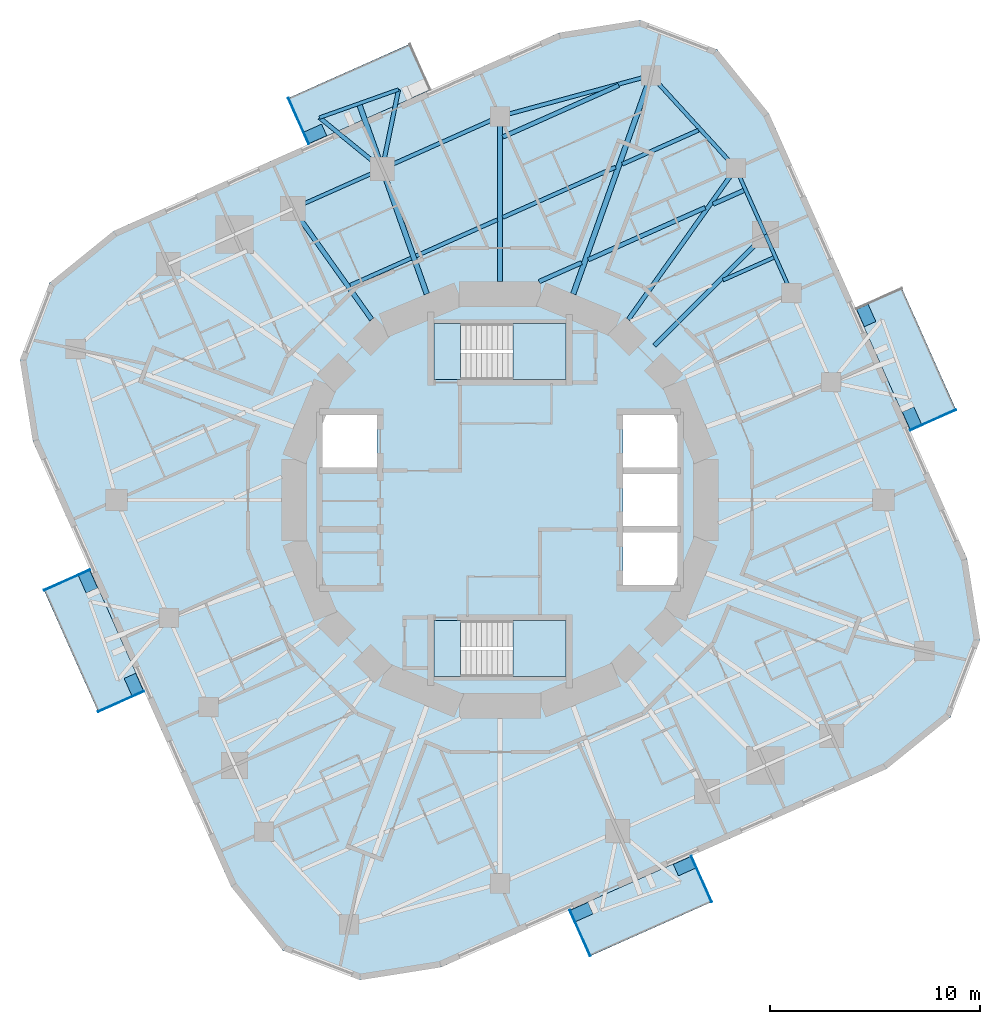
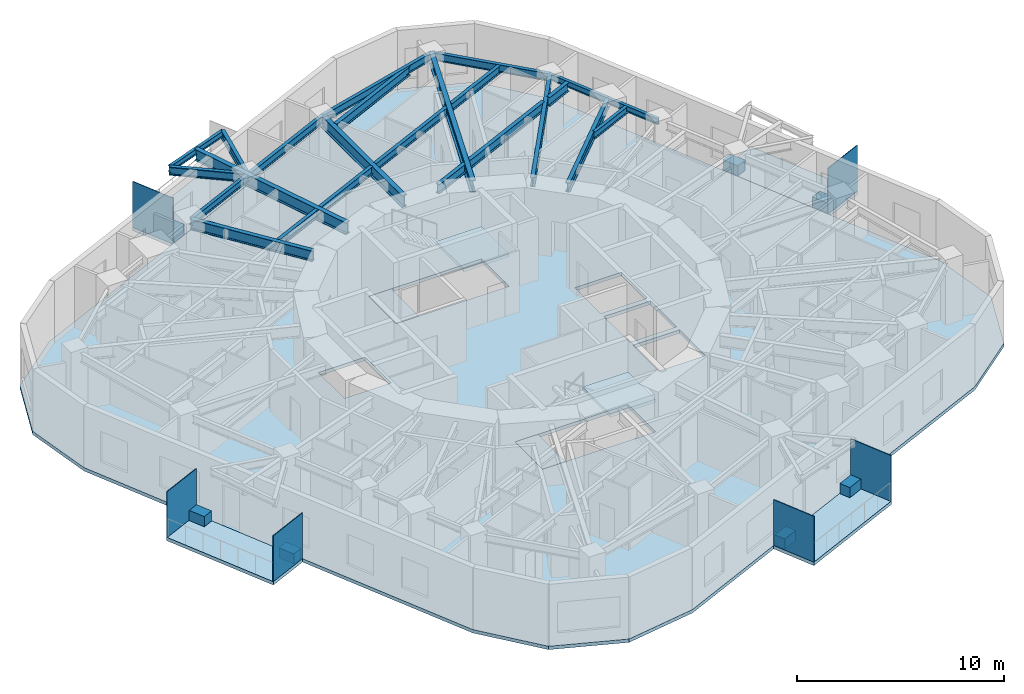
# One storey, part 3 of 12: 24 beams, 13 plates, 9 slabs, 2 elements without a shape of their own.
"""IFC4 building model written with IfcOpenShell, lengths in metres."""

from ifc_helpers import new_model, si_unit, direction, frame, origin, origin_2d, place, context, subcontext, project, spatial, polyline, rectangle, i_section, outline, extrude, material, layer, layer_set, material_profile, profile_set, type_object, element, aggregate, save


model = new_model("IFC4")

# Units and contexts
model_context = context("Model", 3, precision=1e-05, world=origin(), true_north=direction((0.0, 1.0)))
body_context = subcontext(model_context, "Body", "Model", "MODEL_VIEW")
ifc_project = project(units=[si_unit("LENGTHUNIT", "METRE"), si_unit("AREAUNIT", "SQUARE_METRE"), si_unit("VOLUMEUNIT", "CUBIC_METRE"), si_unit("PLANEANGLEUNIT", "RADIAN"), si_unit("MASSUNIT", "GRAM", prefix="KILO")], contexts=[model_context])

# Site, building, storey
site_placement = place(None, origin())
site = spatial("IfcSite", under=ifc_project, at=site_placement, CompositionType="ELEMENT")
building_placement = place(site_placement, origin())
building = spatial("IfcBuilding", under=site, at=building_placement, Name="Nakasero Lantern House", CompositionType="ELEMENT")
storey_placement = place(building_placement, frame((0.0, 0.0, 194.0)))
storey = spatial("IfcBuildingStorey", under=building, at=storey_placement, Name="L47", CompositionType="ELEMENT", Elevation=194.0)

# Beams
ifc_material_1 = material(Name="Steel S355", Category="steel")
ifc_material_profile_1 = material_profile(ifc_material_1, i_section(OverallWidth=0.199462890625, OverallDepth=0.491943359375, WebThickness=0.01806640625, FlangeThickness=0.031982421875, FilletRadius=0.01025390625, at=origin_2d()), Name="UB 457x191x161")
ifc_profile_set_1 = profile_set([ifc_material_profile_1], Name="Steel S355")
beam_type_1 = type_object("IfcBeamType", Name="Balcony splay beam UB 457x191x161", PredefinedType="BEAM", material=ifc_profile_set_1)
beam_1_placement = place(storey_placement, frame((-5.611328125, 15.781982421875, 3.404052734375), z_axis=(-0.774833215206, 0.632165712937, 0.0), x_axis=(-0.632165712937, -0.774833215206, 0.0)))
element("IfcBeam", 1, at=beam_1_placement, inside=storey, type_object=beam_type_1, Name="Balcony splay beam L48 B5-C10A", PredefinedType="BEAM", context=body_context, shape_type="SweptSolid", body=[
    extrude(i_section(OverallWidth=0.199462890625, OverallDepth=0.491943359375, WebThickness=0.01806640625, FlangeThickness=0.031982421875, FilletRadius=0.01025390625, at=origin_2d()), origin(), (0.0, 0.0, 1.0), 3.85888671875),
])
beam_2_placement = place(storey_placement, frame((-5.611328125, 15.781982421875, 3.404052734375), z_axis=(0.201831438605, 0.979420272605, 0.0), x_axis=(-0.979420272605, 0.201831438605, 0.0)))
element("IfcBeam", 2, at=beam_2_placement, inside=storey, type_object=beam_type_1, Name="Balcony splay beam L48 B5-C10B", PredefinedType="BEAM", context=body_context, shape_type="SweptSolid", body=[
    extrude(i_section(OverallWidth=0.199462890625, OverallDepth=0.491943359375, WebThickness=0.01806640625, FlangeThickness=0.031982421875, FilletRadius=0.01025390625, at=origin_2d()), origin(), (0.0, 0.0, 1.0), 3.858642578125),
])
ifc_material_2 = material(Name="Steel S355", Category="steel")
ifc_material_profile_2 = material_profile(ifc_material_2, i_section(OverallWidth=0.17138671875, OverallDepth=0.35498046875, WebThickness=0.00732421875, FlangeThickness=0.011474609375, FilletRadius=0.01025390625, at=origin_2d()), Name="UB 356x171x51")
ifc_profile_set_2 = profile_set([ifc_material_profile_2], Name="Steel S355")
beam_type_2 = type_object("IfcBeamType", Name="Balcony tie beam UB 356x171x51", PredefinedType="BEAM", material=ifc_profile_set_2)
beam_3_placement = place(storey_placement, frame((-8.601318359375, 18.221435546875, 3.472412109375), z_axis=(0.94222839004, 0.334971134582, 0.0), x_axis=(-0.334971134582, 0.94222839004, 0.0)))
element("IfcBeam", 3, at=beam_3_placement, inside=storey, type_object=beam_type_2, Name="Balcony tie beam L48 B5-C10", PredefinedType="BEAM", context=body_context, shape_type="SweptSolid", body=[
    extrude(i_section(OverallWidth=0.17138671875, OverallDepth=0.35498046875, WebThickness=0.00732421875, FlangeThickness=0.011474609375, FilletRadius=0.01025390625, at=origin_2d()), origin(), (0.0, 0.0, 1.0), 4.0),
])
ifc_material_3 = material(Name="Steel S355", Category="steel")
ifc_material_profile_3 = material_profile(ifc_material_3, i_section(OverallWidth=0.177978515625, OverallDepth=0.406494140625, WebThickness=0.0078125, FlangeThickness=0.0126953125, FilletRadius=0.01025390625, at=origin_2d()), Name="UB 406x178x60")
ifc_profile_set_3 = profile_set([ifc_material_profile_3], Name="Steel S355")
beam_type_3 = type_object("IfcBeamType", Name="Infill beam UB 406x178x60", PredefinedType="JOIST", material=ifc_profile_set_3)
beam_4_placement = place(storey_placement, frame((10.626708984375, 10.47802734375, 3.44677734375), z_axis=(0.913529602849, 0.406772251658, 0.0), x_axis=(-0.406772251658, 0.913529602849, 0.0)))
element("IfcBeam", 4, at=beam_4_placement, inside=storey, type_object=beam_type_3, Name="Infill beam L48 09.4", PredefinedType="JOIST", context=body_context, shape_type="SweptSolid", body=[
    extrude(i_section(OverallWidth=0.177978515625, OverallDepth=0.406494140625, WebThickness=0.0078125, FlangeThickness=0.0126953125, FilletRadius=0.01025390625, at=origin_2d()), origin(), (0.0, 0.0, 1.0), 2.64453125),
])
ifc_material_4 = material(Name="Steel S355", Category="steel")
ifc_material_profile_4 = material_profile(ifc_material_4, i_section(OverallWidth=0.18994140625, OverallDepth=0.453369140625, WebThickness=0.008544921875, FlangeThickness=0.0126953125, FilletRadius=0.01025390625, at=origin_2d()), Name="UB 457x191x67")
ifc_profile_set_4 = profile_set([ifc_material_profile_4], Name="Steel S355")
beam_type_4 = type_object("IfcBeamType", Name="Infill beam UB 457x191x67", PredefinedType="JOIST", material=ifc_profile_set_4)
beam_5_placement = place(storey_placement, frame((-7.1357421875, 10.232177734375, 3.42333984375), z_axis=(0.913535738899, 0.406758471029, 0.0), x_axis=(-0.406758471029, 0.913535738899, 0.0)))
element("IfcBeam", 5, at=beam_5_placement, inside=storey, type_object=beam_type_4, Name="Infill beam L48 11.5", PredefinedType="JOIST", context=body_context, shape_type="SweptSolid", body=[
    extrude(i_section(OverallWidth=0.18994140625, OverallDepth=0.453369140625, WebThickness=0.008544921875, FlangeThickness=0.0126953125, FilletRadius=0.01025390625, at=origin_2d()), origin(), (0.0, 0.0, 1.0), 3.17822265625),
])
beam_6_placement = place(storey_placement, frame((-4.0, 11.62841796875, 3.42333984375), z_axis=(0.913552455182, 0.40672092598, 0.0), x_axis=(-0.40672092598, 0.913552455182, 0.0)))
element("IfcBeam", 6, at=beam_6_placement, inside=storey, type_object=beam_type_4, Name="Infill beam L48 11.6", PredefinedType="JOIST", context=body_context, shape_type="SweptSolid", body=[
    extrude(i_section(OverallWidth=0.18994140625, OverallDepth=0.453369140625, WebThickness=0.008544921875, FlangeThickness=0.0126953125, FilletRadius=0.01025390625, at=origin_2d()), origin(), (0.0, 0.0, 1.0), 4.238525390625),
])
beam_7_placement = place(storey_placement, frame((0.1279296875, 13.46630859375, 3.42333984375), z_axis=(0.913542777248, 0.406742663287, 0.0), x_axis=(-0.406742663287, 0.913542777248, 0.0)))
element("IfcBeam", 7, at=beam_7_placement, inside=storey, type_object=beam_type_4, Name="Infill beam L48 11.7", PredefinedType="JOIST", context=body_context, shape_type="SweptSolid", body=[
    extrude(i_section(OverallWidth=0.18994140625, OverallDepth=0.453369140625, WebThickness=0.008544921875, FlangeThickness=0.0126953125, FilletRadius=0.01025390625, at=origin_2d()), origin(), (0.0, 0.0, 1.0), 5.88525390625),
])
beam_8_placement = place(storey_placement, frame((5.824462890625, 16.00244140625, 3.42333984375), z_axis=(0.91354552237, 0.406736497695, 0.0), x_axis=(-0.406736497695, 0.91354552237, 0.0)))
element("IfcBeam", 8, at=beam_8_placement, inside=storey, type_object=beam_type_4, Name="Infill beam L48 11.8", PredefinedType="JOIST", context=body_context, shape_type="SweptSolid", body=[
    extrude(i_section(OverallWidth=0.18994140625, OverallDepth=0.453369140625, WebThickness=0.008544921875, FlangeThickness=0.0126953125, FilletRadius=0.01025390625, at=origin_2d()), origin(), (0.0, 0.0, 1.0), 3.9765625),
])
ifc_material_5 = material(Name="Steel S355", Category="steel")
ifc_material_profile_5 = material_profile(ifc_material_5, i_section(OverallWidth=0.2099609375, OverallDepth=0.53662109375, WebThickness=0.0107421875, FlangeThickness=0.017333984375, FilletRadius=0.0126953125, at=origin_2d()), Name="UB 533x210x101")
ifc_profile_set_5 = profile_set([ifc_material_profile_5], Name="Steel S355")
beam_type_5 = type_object("IfcBeamType", Name="Infill beam UB 533x210x101", PredefinedType="JOIST", material=ifc_profile_set_5)
beam_9_placement = place(storey_placement, frame((0.1279296875, 17.29736328125, 3.381591796875), z_axis=(0.913537020085, 0.406755593611, 0.0), x_axis=(-0.406755593611, 0.913537020085, 0.0)))
element("IfcBeam", 9, at=beam_9_placement, inside=storey, type_object=beam_type_5, Name="Infill beam L48 12.3", PredefinedType="JOIST", context=body_context, shape_type="SweptSolid", body=[
    extrude(i_section(OverallWidth=0.2099609375, OverallDepth=0.53662109375, WebThickness=0.0107421875, FlangeThickness=0.017333984375, FilletRadius=0.0126953125, at=origin_2d()), origin(), (0.0, 0.0, 1.0), 6.0556640625),
])
ifc_material_6 = material(Name="Steel S355", Category="steel")
ifc_material_profile_6 = material_profile(ifc_material_6, i_section(OverallWidth=0.208740234375, OverallDepth=0.5283203125, WebThickness=0.009521484375, FlangeThickness=0.01318359375, FilletRadius=0.0126953125, at=origin_2d()), Name="UB 533x210x82")
ifc_profile_set_6 = profile_set([ifc_material_profile_6], Name="Steel S355")
beam_type_6 = type_object("IfcBeamType", Name="Infill beam UB 533x210x82", PredefinedType="JOIST", material=ifc_profile_set_6)
beam_10_placement = place(storey_placement, frame((1.86376953125, 10.407958984375, 3.3857421875), z_axis=(0.913538457968, 0.406752364238, 0.0), x_axis=(-0.406752364238, 0.913538457968, 0.0)))
element("IfcBeam", 10, at=beam_10_placement, inside=storey, type_object=beam_type_6, Name="Infill beam L48 10.3", PredefinedType="JOIST", context=body_context, shape_type="SweptSolid", body=[
    extrude(i_section(OverallWidth=0.208740234375, OverallDepth=0.5283203125, WebThickness=0.009521484375, FlangeThickness=0.01318359375, FilletRadius=0.0126953125, at=origin_2d()), origin(), (0.0, 0.0, 1.0), 2.213623046875),
])
beam_11_placement = place(storey_placement, frame((4.2060546875, 11.45068359375, 3.3857421875), z_axis=(0.913537341067, 0.406754872713, 0.0), x_axis=(-0.406754872713, 0.913537341067, 0.0)))
element("IfcBeam", 11, at=beam_11_placement, inside=storey, type_object=beam_type_6, Name="Infill beam L48 10.4", PredefinedType="JOIST", context=body_context, shape_type="SweptSolid", body=[
    extrude(i_section(OverallWidth=0.208740234375, OverallDepth=0.5283203125, WebThickness=0.009521484375, FlangeThickness=0.01318359375, FilletRadius=0.0126953125, at=origin_2d()), origin(), (0.0, 0.0, 1.0), 6.099365234375),
])
beam_12_placement = place(storey_placement, frame((10.155029296875, 14.099365234375, 3.3857421875), z_axis=(0.913522313414, 0.406788621884, 0.0), x_axis=(-0.406788621884, 0.913522313414, 0.0)))
element("IfcBeam", 12, at=beam_12_placement, inside=storey, type_object=beam_type_6, Name="Infill beam L48 10.5", PredefinedType="JOIST", context=body_context, shape_type="SweptSolid", body=[
    extrude(i_section(OverallWidth=0.208740234375, OverallDepth=0.5283203125, WebThickness=0.009521484375, FlangeThickness=0.01318359375, FilletRadius=0.0126953125, at=origin_2d()), origin(), (0.0, 0.0, 1.0), 1.6025390625),
])
ifc_material_7 = material(Name="Steel S355", Category="steel")
ifc_material_profile_7 = material_profile(ifc_material_7, i_section(OverallWidth=0.2099609375, OverallDepth=0.53662109375, WebThickness=0.0107421875, FlangeThickness=0.017333984375, FilletRadius=0.0126953125, at=origin_2d()), Name="UB 533x210x101")
ifc_profile_set_7 = profile_set([ifc_material_profile_7], Name="Steel S355")
beam_type_7 = type_object("IfcBeamType", Name="Primary beam UB 533x210x101, span 6 to 9 m", PredefinedType="BEAM", material=ifc_profile_set_7)
beam_13_placement = place(storey_placement, frame((12.64892578125, 12.64892578125, 3.381591796875), z_axis=(-0.707106781187, -0.707106781187, 0.0), x_axis=(0.707106781187, -0.707106781187, 0.0)))
element("IfcBeam", 13, at=beam_13_placement, inside=storey, type_object=beam_type_7, Name="Primary beam L48 B5-C06", PredefinedType="BEAM", context=body_context, shape_type="SweptSolid", body=[
    extrude(i_section(OverallWidth=0.2099609375, OverallDepth=0.53662109375, WebThickness=0.0107421875, FlangeThickness=0.017333984375, FilletRadius=0.0126953125, at=origin_2d()), origin(), (0.0, 0.0, 1.0), 7.48046875),
])
beam_14_placement = place(storey_placement, frame((11.241943359375, 15.808837890625, 3.381591796875), z_axis=(-0.579536824926, -0.814946052543, 0.0), x_axis=(0.814946052543, -0.579536824926, 0.0)))
element("IfcBeam", 14, at=beam_14_placement, inside=storey, type_object=beam_type_7, Name="Primary beam L48 B5-C07", PredefinedType="BEAM", context=body_context, shape_type="SweptSolid", body=[
    extrude(i_section(OverallWidth=0.2099609375, OverallDepth=0.53662109375, WebThickness=0.0107421875, FlangeThickness=0.017333984375, FilletRadius=0.0126953125, at=origin_2d()), origin(), (0.0, 0.0, 1.0), 8.84326171875),
])
ifc_material_8 = material(Name="Steel S355", Category="steel")
ifc_material_profile_8 = material_profile(ifc_material_8, i_section(OverallWidth=0.22900390625, OverallDepth=0.6123046875, WebThickness=0.011962890625, FlangeThickness=0.01953125, FilletRadius=0.0126953125, at=origin_2d()), Name="UB 610x229x125")
ifc_profile_set_8 = profile_set([ifc_material_profile_8], Name="Steel S355")
beam_type_8 = type_object("IfcBeamType", Name="Primary beam UB 610x229x125, span 6 to 9 m", PredefinedType="BEAM", material=ifc_profile_set_8)
beam_15_placement = place(storey_placement, frame((-9.87353515625, 13.884521484375, 3.343994140625), z_axis=(0.57954101868, -0.8149430702, 0.0), x_axis=(0.8149430702, 0.57954101868, 0.0)))
element("IfcBeam", 15, at=beam_15_placement, inside=storey, type_object=beam_type_8, Name="Primary beam L48 B5-C11", PredefinedType="BEAM", context=body_context, shape_type="SweptSolid", body=[
    extrude(i_section(OverallWidth=0.22900390625, OverallDepth=0.6123046875, WebThickness=0.011962890625, FlangeThickness=0.01953125, FilletRadius=0.0126953125, at=origin_2d()), origin(), (0.0, 0.0, 1.0), 6.48193359375),
])
ifc_material_9 = material(Name="Steel S355", Category="steel")
ifc_material_profile_9 = material_profile(ifc_material_9, i_section(OverallWidth=0.253662109375, OverallDepth=0.68359375, WebThickness=0.012451171875, FlangeThickness=0.01904296875, FilletRadius=0.01513671875, at=origin_2d()), Name="UB 686x254x140")
ifc_profile_set_9 = profile_set([ifc_material_profile_9], Name="Steel S355")
beam_type_9 = type_object("IfcBeamType", Name="Primary beam UB 686x254x140, span 6 to 9 m", PredefinedType="BEAM", material=ifc_profile_set_9)
beam_16_placement = place(storey_placement, frame((-6.717041015625, 18.891357421875, 3.308349609375), z_axis=(0.335030177005, -0.942207397814, 0.0), x_axis=(0.942207397814, 0.335030177005, 0.0)))
element("IfcBeam", 16, at=beam_16_placement, inside=storey, type_object=beam_type_9, Name="Primary beam L48 B5-C10", PredefinedType="BEAM", context=body_context, shape_type="SweptSolid", body=[
    extrude(i_section(OverallWidth=0.253662109375, OverallDepth=0.68359375, WebThickness=0.012451171875, FlangeThickness=0.01904296875, FilletRadius=0.01513671875, at=origin_2d()), origin(), (0.0, 0.0, 1.0), 9.62841796875),
])
ifc_material_10 = material(Name="Steel S355", Category="steel")
ifc_material_profile_10 = material_profile(ifc_material_10, i_section(OverallWidth=0.253662109375, OverallDepth=0.68359375, WebThickness=0.012451171875, FlangeThickness=0.01904296875, FilletRadius=0.01513671875, at=origin_2d()), Name="UB 686x254x140")
ifc_profile_set_10 = profile_set([ifc_material_profile_10], Name="Steel S355")
beam_type_10 = type_object("IfcBeamType", Name="Primary beam UB 686x254x140, span 9 to 12 m", PredefinedType="BEAM", material=ifc_profile_set_10)
beam_17_placement = place(storey_placement, frame((7.19482421875, 20.2353515625, 3.308349609375), z_axis=(-0.335020995468, -0.942210662535, 0.0), x_axis=(0.942210662535, -0.335020995468, 0.0)))
element("IfcBeam", 17, at=beam_17_placement, inside=storey, type_object=beam_type_10, Name="Primary beam L48 B5-C08", PredefinedType="BEAM", context=body_context, shape_type="SweptSolid", body=[
    extrude(i_section(OverallWidth=0.253662109375, OverallDepth=0.68359375, WebThickness=0.012451171875, FlangeThickness=0.01904296875, FilletRadius=0.01513671875, at=origin_2d()), origin(), (0.0, 0.0, 1.0), 11.054931640625),
])
ifc_material_11 = material(Name="Steel S355", Category="steel")
ifc_material_profile_11 = material_profile(ifc_material_11, i_section(OverallWidth=0.255859375, OverallDepth=0.69287109375, WebThickness=0.014404296875, FlangeThickness=0.023681640625, FilletRadius=0.01513671875, at=origin_2d()), Name="UB 686x254x170")
ifc_profile_set_11 = profile_set([ifc_material_profile_11], Name="Steel S355")
beam_type_11 = type_object("IfcBeamType", Name="Primary beam UB 686x254x170, span 6 to 9 m", PredefinedType="BEAM", material=ifc_profile_set_11)
beam_18_placement = place(storey_placement, frame((0.0, 18.280517578125, 3.303466796875), z_axis=(0.0, -1.0, 0.0), x_axis=(1.0, 0.0, 0.0)))
element("IfcBeam", 18, at=beam_18_placement, inside=storey, type_object=beam_type_11, Name="Primary beam L48 B5-C09", PredefinedType="BEAM", context=body_context, shape_type="SweptSolid", body=[
    extrude(i_section(OverallWidth=0.255859375, OverallDepth=0.69287109375, WebThickness=0.014404296875, FlangeThickness=0.023681640625, FilletRadius=0.01513671875, at=origin_2d()), origin(), (0.0, 0.0, 1.0), 7.87255859375),
])
ifc_material_12 = material(Name="Steel S355", Category="steel")
ifc_material_profile_12 = material_profile(ifc_material_12, i_section(OverallWidth=0.17138671875, OverallDepth=0.35498046875, WebThickness=0.00732421875, FlangeThickness=0.011474609375, FilletRadius=0.01025390625, at=origin_2d()), Name="UB 356x171x51")
ifc_profile_set_12 = profile_set([ifc_material_profile_12], Name="Steel S355")
beam_type_12 = type_object("IfcBeamType", Name="Ring beam UB 356x171x51", PredefinedType="BEAM", material=ifc_profile_set_12)
beam_19_placement = place(storey_placement, frame((13.884521484375, 9.87353515625, 3.472412109375), z_axis=(-0.40671251915, 0.913556197925, 0.0), x_axis=(-0.913556197925, -0.40671251915, 0.0)))
element("IfcBeam", 19, at=beam_19_placement, inside=storey, type_object=beam_type_12, Name="Ring beam L48 B5-C05", PredefinedType="BEAM", context=body_context, shape_type="SweptSolid", body=[
    extrude(i_section(OverallWidth=0.17138671875, OverallDepth=0.35498046875, WebThickness=0.00732421875, FlangeThickness=0.011474609375, FilletRadius=0.01025390625, at=origin_2d()), origin(), (0.0, 0.0, 1.0), 3.0380859375),
])
beam_20_placement = place(storey_placement, frame((12.64892578125, 12.64892578125, 3.472412109375), z_axis=(-0.406760506795, 0.913534832457, 0.0), x_axis=(-0.913534832457, -0.406760506795, 0.0)))
element("IfcBeam", 20, at=beam_20_placement, inside=storey, type_object=beam_type_12, Name="Ring beam L48 B5-C06", PredefinedType="BEAM", context=body_context, shape_type="SweptSolid", body=[
    extrude(i_section(OverallWidth=0.17138671875, OverallDepth=0.35498046875, WebThickness=0.00732421875, FlangeThickness=0.011474609375, FilletRadius=0.01025390625, at=origin_2d()), origin(), (0.0, 0.0, 1.0), 3.458984375),
])
ifc_material_13 = material(Name="Steel S355", Category="steel")
ifc_material_profile_13 = material_profile(ifc_material_13, i_section(OverallWidth=0.177978515625, OverallDepth=0.406494140625, WebThickness=0.0078125, FlangeThickness=0.0126953125, FilletRadius=0.01025390625, at=origin_2d()), Name="UB 406x178x60")
ifc_profile_set_13 = profile_set([ifc_material_profile_13], Name="Steel S355")
beam_type_13 = type_object("IfcBeamType", Name="Ring beam UB 406x178x60", PredefinedType="BEAM", material=ifc_profile_set_13)
beam_21_placement = place(storey_placement, frame((-5.611328125, 15.781982421875, 3.44677734375), z_axis=(-0.913561058639, -0.406701600856, 0.0), x_axis=(0.406701600856, -0.913561058639, 0.0)))
element("IfcBeam", 21, at=beam_21_placement, inside=storey, type_object=beam_type_13, Name="Ring beam L48 B5-C10", PredefinedType="BEAM", context=body_context, shape_type="SweptSolid", body=[
    extrude(i_section(OverallWidth=0.177978515625, OverallDepth=0.406494140625, WebThickness=0.0078125, FlangeThickness=0.0126953125, FilletRadius=0.01025390625, at=origin_2d()), origin(), (0.0, 0.0, 1.0), 4.66552734375),
])
ifc_material_14 = material(Name="Steel S355", Category="steel")
ifc_material_profile_14 = material_profile(ifc_material_14, i_section(OverallWidth=0.18994140625, OverallDepth=0.453369140625, WebThickness=0.008544921875, FlangeThickness=0.0126953125, FilletRadius=0.01025390625, at=origin_2d()), Name="UB 457x191x67")
ifc_profile_set_14 = profile_set([ifc_material_profile_14], Name="Steel S355")
beam_type_14 = type_object("IfcBeamType", Name="Ring beam UB 457x191x67", PredefinedType="BEAM", material=ifc_profile_set_14)
beam_22_placement = place(storey_placement, frame((11.241943359375, 15.808837890625, 3.42333984375), z_axis=(-0.674771099966, 0.73802707447, 0.0), x_axis=(-0.73802707447, -0.674771099966, 0.0)))
element("IfcBeam", 22, at=beam_22_placement, inside=storey, type_object=beam_type_14, Name="Ring beam L48 B5-C07", PredefinedType="BEAM", context=body_context, shape_type="SweptSolid", body=[
    extrude(i_section(OverallWidth=0.18994140625, OverallDepth=0.453369140625, WebThickness=0.008544921875, FlangeThickness=0.0126953125, FilletRadius=0.01025390625, at=origin_2d()), origin(), (0.0, 0.0, 1.0), 5.997802734375),
])
beam_23_placement = place(storey_placement, frame((7.19482421875, 20.2353515625, 3.42333984375), z_axis=(-0.965015017941, -0.26219461312, 0.0), x_axis=(0.26219461312, -0.965015017941, 0.0)))
element("IfcBeam", 23, at=beam_23_placement, inside=storey, type_object=beam_type_14, Name="Ring beam L48 B5-C08", PredefinedType="BEAM", context=body_context, shape_type="SweptSolid", body=[
    extrude(i_section(OverallWidth=0.18994140625, OverallDepth=0.453369140625, WebThickness=0.008544921875, FlangeThickness=0.0126953125, FilletRadius=0.01025390625, at=origin_2d()), origin(), (0.0, 0.0, 1.0), 7.45556640625),
])
ifc_material_15 = material(Name="Steel S355", Category="steel")
ifc_material_profile_15 = material_profile(ifc_material_15, i_section(OverallWidth=0.19140625, OverallDepth=0.4599609375, WebThickness=0.010009765625, FlangeThickness=0.01611328125, FilletRadius=0.01025390625, at=origin_2d()), Name="UB 457x191x82")
ifc_profile_set_15 = profile_set([ifc_material_profile_15], Name="Steel S355")
beam_type_15 = type_object("IfcBeamType", Name="Ring beam UB 457x191x82", PredefinedType="BEAM", material=ifc_profile_set_15)
beam_24_placement = place(storey_placement, frame((0.0, 18.280517578125, 3.419921875), z_axis=(-0.913532698569, -0.406765299215, 0.0), x_axis=(0.406765299215, -0.913532698569, 0.0)))
element("IfcBeam", 24, at=beam_24_placement, inside=storey, type_object=beam_type_15, Name="Ring beam L48 B5-C09", PredefinedType="BEAM", context=body_context, shape_type="SweptSolid", body=[
    extrude(i_section(OverallWidth=0.19140625, OverallDepth=0.4599609375, WebThickness=0.010009765625, FlangeThickness=0.01611328125, FilletRadius=0.01025390625, at=origin_2d()), origin(), (0.0, 0.0, 1.0), 6.142333984375),
])

# Plates
ifc_material_16 = material(Name="Aluminium 6063-T6", Category="aluminium")
ifc_layer_1 = layer(ifc_material_16, 0.60009765625)
ifc_layer_set_1 = layer_set([ifc_layer_1], Name="Balcony planter 600x900")
plate_type_1 = type_object("IfcPlateType", Name="Balcony planter 600x900", PredefinedType="USERDEFINED", material=ifc_layer_set_1)
for number, where, z_axis, x_axis, name in (
    (25, (19.629638671875, 3.90283203125, 0.0), (0.0, 0.0, 1.0), (0.913545457643, 0.406736643076, 0.0), "Balcony PLANTER L47 BAL0A"),
    (26, (17.452880859375, 8.791748046875, 0.0), (0.0, 0.0, 1.0), (0.913545457643, 0.406736643076, 0.0), "Balcony PLANTER L47 BAL0B"),
    (27, (-8.791748046875, 17.452880859375, 0.0), (0.0, 0.0, 1.0), (-0.406736643076, 0.913545457643, 0.0), "Balcony PLANTER L47 BAL1B"),
    (28, (-19.629638671875, -3.90283203125, 0.0), (0.0, 0.0, 1.0), (-0.913545457643, -0.406736643076, 0.0), "Balcony PLANTER L47 BAL2A"),
    (29, (-17.452880859375, -8.791748046875, 0.0), (0.0, 0.0, 1.0), (-0.913545457643, -0.406736643076, 0.0), "Balcony PLANTER L47 BAL2B"),
    (30, (3.90283203125, -19.629638671875, 0.0), (0.0, 0.0, 1.0), (0.406736643076, -0.913545457643, 0.0), "Balcony PLANTER L47 BAL3A"),
    (31, (8.791748046875, -17.452880859375, 0.0), (0.0, 0.0, 1.0), (0.406736643076, -0.913545457643, 0.0), "Balcony PLANTER L47 BAL3B"),
):
    element("IfcPlate", number, at=place(storey_placement, frame(where, z_axis=z_axis, x_axis=x_axis)), inside=storey, type_object=plate_type_1, Name=name, ObjectType="PLANTER", PredefinedType="USERDEFINED", context=body_context, shape_type="SweptSolid", body=[
        extrude(rectangle(XDim=0.60009765625, YDim=0.89990234375, at=origin_2d()), origin(), (0.0, 0.0, 1.0), 0.60009765625),
    ])
ifc_material_17 = material(Name="Aluminium 6063-T6", Category="aluminium")
ifc_layer_2 = layer(ifc_material_17, 0.0400390625)
ifc_layer_set_2 = layer_set([ifc_layer_2], Name="Balcony screen 2400x2700")
plate_type_2 = type_object("IfcPlateType", Name="Balcony screen 2400x2700", PredefinedType="SHEET", material=ifc_layer_set_2)
for number, where, z_axis, x_axis, name in (
    (32, (20.6328125, 3.813232421875, 0.0), (0.0, 0.0, 1.0), (0.913545457643, 0.406736643076, 0.0), "Balcony SCREEN L47 BAL0A"),
    (33, (-9.59716796875, 18.0576171875, 0.0), (0.0, 0.0, 1.0), (-0.406736643076, 0.913545457643, 0.0), "Balcony SCREEN L47 BAL1B"),
    (34, (-20.6328125, -3.813232421875, 0.0), (0.0, 0.0, 1.0), (-0.913545457643, -0.406736643076, 0.0), "Balcony SCREEN L47 BAL2A"),
    (35, (-18.0576171875, -9.59716796875, 0.0), (0.0, 0.0, 1.0), (-0.913545457643, -0.406736643076, 0.0), "Balcony SCREEN L47 BAL2B"),
    (36, (3.813232421875, -20.6328125, 0.0), (0.0, 0.0, 1.0), (0.406736643076, -0.913545457643, 0.0), "Balcony SCREEN L47 BAL3A"),
    (37, (9.59716796875, -18.0576171875, 0.0), (0.0, 0.0, 1.0), (0.406736643076, -0.913545457643, 0.0), "Balcony SCREEN L47 BAL3B"),
):
    element("IfcPlate", number, at=place(storey_placement, frame(where, z_axis=z_axis, x_axis=x_axis)), inside=storey, type_object=plate_type_2, Name=name, PredefinedType="SHEET", context=body_context, shape_type="SweptSolid", body=[
        extrude(rectangle(XDim=2.39990234375, YDim=0.0400390625, at=origin_2d()), origin(), (0.0, 0.0, 1.0), 2.699951171875),
    ])

# Slabs
ifc_material_18 = material(Name="Concrete C35/45", Category="concrete")
ifc_layer_3 = layer(ifc_material_18, 0.199951171875)
ifc_layer_set_3 = layer_set([ifc_layer_3], Name="Balcony slab 200")
slab_type_1 = type_object("IfcSlabType", Name="Balcony slab 200", PredefinedType="USERDEFINED", material=ifc_layer_set_3)
slab_1_placement = place(storey_placement, frame((0.0, 0.0, -0.199951171875)))
element("IfcSlab", 38, at=slab_1_placement, inside=storey, type_object=slab_type_1, Name="Balcony L47 BAL0", ObjectType="BALCONY", PredefinedType="USERDEFINED", context=body_context, shape_type="SweptSolid", body=[
    extrude(outline(polyline([(19.544677734375, 3.306884765625), (21.7373046875, 4.282958984375), (19.145751953125, 10.103515625), (16.953125, 9.12744140625), (19.544677734375, 3.306884765625)])), origin(), (0.0, 0.0, 1.0), 0.199951171875),
])
slab_2_placement = place(storey_placement, frame((0.0, 0.0, -0.199951171875)))
element("IfcSlab", 39, at=slab_2_placement, inside=storey, type_object=slab_type_1, Name="Balcony L47 BAL1", ObjectType="BALCONY", PredefinedType="USERDEFINED", context=body_context, shape_type="SweptSolid", body=[
    extrude(outline(polyline([(-3.306884765625, 19.544677734375), (-4.282958984375, 21.7373046875), (-10.103515625, 19.145751953125), (-9.12744140625, 16.953125), (-3.306884765625, 19.544677734375)])), origin(), (0.0, 0.0, 1.0), 0.199951171875),
])
slab_3_placement = place(storey_placement, frame((0.0, 0.0, -0.199951171875)))
element("IfcSlab", 40, at=slab_3_placement, inside=storey, type_object=slab_type_1, Name="Balcony L47 BAL2", ObjectType="BALCONY", PredefinedType="USERDEFINED", context=body_context, shape_type="SweptSolid", body=[
    extrude(outline(polyline([(-19.544677734375, -3.306884765625), (-21.7373046875, -4.282958984375), (-19.145751953125, -10.103515625), (-16.953125, -9.12744140625), (-19.544677734375, -3.306884765625)])), origin(), (0.0, 0.0, 1.0), 0.199951171875),
])
slab_4_placement = place(storey_placement, frame((0.0, 0.0, -0.199951171875)))
element("IfcSlab", 41, at=slab_4_placement, inside=storey, type_object=slab_type_1, Name="Balcony L47 BAL3", ObjectType="BALCONY", PredefinedType="USERDEFINED", context=body_context, shape_type="SweptSolid", body=[
    extrude(outline(polyline([(3.306884765625, -19.544677734375), (4.282958984375, -21.7373046875), (10.103515625, -19.145751953125), (9.12744140625, -16.953125), (3.306884765625, -19.544677734375)])), origin(), (0.0, 0.0, 1.0), 0.199951171875),
])
ifc_material_19 = material(Name="Concrete C35/45", Category="concrete")
ifc_layer_4 = layer(ifc_material_19, 0.199951171875)
ifc_layer_set_4 = layer_set([ifc_layer_4], Name="Composite floor slab 200")
slab_type_2 = type_object("IfcSlabType", Name="Composite floor slab 200", PredefinedType="FLOOR", material=ifc_layer_set_4)
slab_5_placement = place(storey_placement, frame((0.0, 0.0, -0.199951171875)))
element("IfcSlab", 42, at=slab_5_placement, inside=storey, type_object=slab_type_2, Name="Floor slab L47", PredefinedType="FLOOR", context=body_context, shape_type="SweptSolid", body=[
    extrude(outline(polyline([(12.822021484375, 18.406494140625), (10.34619140625, 21.4638671875), (6.67333984375, 22.87353515625), (2.787841796875, 22.25830078125), (-18.406494140625, 12.822021484375), (-21.4638671875, 10.34619140625), (-22.87353515625, 6.67333984375), (-22.25830078125, 2.787841796875), (-12.822021484375, -18.406494140625), (-10.34619140625, -21.4638671875), (-6.67333984375, -22.87353515625), (-2.787841796875, -22.25830078125), (18.406494140625, -12.822021484375), (21.4638671875, -10.34619140625), (22.87353515625, -6.67333984375), (22.25830078125, -2.787841796875), (12.822021484375, 18.406494140625)]), holes=[polyline([(-8.449951171875, 1.550048828125), (-5.85009765625, 1.550048828125), (-5.85009765625, 4.050048828125), (-8.449951171875, 4.050048828125), (-8.449951171875, 1.550048828125)]), polyline([(5.85009765625, -4.050048828125), (8.449951171875, -4.050048828125), (8.449951171875, -1.550048828125), (5.85009765625, -1.550048828125), (5.85009765625, -4.050048828125)]), polyline([(5.85009765625, -1.25), (8.449951171875, -1.25), (8.449951171875, 1.25), (5.85009765625, 1.25), (5.85009765625, -1.25)]), polyline([(5.85009765625, 1.550048828125), (8.449951171875, 1.550048828125), (8.449951171875, 4.050048828125), (5.85009765625, 4.050048828125), (5.85009765625, 1.550048828125)]), polyline([(-3.14990234375, 5.75), (3.14990234375, 5.75), (3.14990234375, 8.39990234375), (-3.14990234375, 8.39990234375), (-3.14990234375, 5.75)]), polyline([(-3.14990234375, -8.39990234375), (3.14990234375, -8.39990234375), (3.14990234375, -5.75), (-3.14990234375, -5.75), (-3.14990234375, -8.39990234375)])]), origin(), (0.0, 0.0, 1.0), 0.199951171875),
])

# Stair, slabs
ifc_material_20 = material(Name="Concrete C40/50", Category="concrete")
stair_type_1 = type_object("IfcStairType", Name="Escape stair ST1 22 risers", PredefinedType="HALF_TURN_STAIR", material=ifc_material_20)
stair_1_placement = place(storey_placement, origin())
stair_1 = element("IfcStair", 43, at=stair_1_placement, inside=storey, type_object=stair_type_1, Name="Escape stair ST1 L47", PredefinedType="HALF_TURN_STAIR")
ifc_material_21 = material(Name="Concrete C40/50", Category="concrete")
ifc_layer_5 = layer(ifc_material_21, 0.199951171875)
ifc_layer_set_5 = layer_set([ifc_layer_5], Name="Stair landing 200")
slab_type_3 = type_object("IfcSlabType", Name="Stair landing 200", PredefinedType="LANDING", material=ifc_layer_set_5)
slab_6_placement = place(storey_placement, frame((0.0, 0.0, -0.199951171875)))
slab_6 = element("IfcSlab", 44, at=slab_6_placement, type_object=slab_type_3, Name="ST1 landing 1", PredefinedType="LANDING", context=body_context, shape_type="SweptSolid", body=[
    extrude(outline(polyline([(-3.14990234375, 5.75), (-1.875, 5.75), (-1.875, 8.39990234375), (-3.14990234375, 8.39990234375), (-3.14990234375, 5.75)])), origin(), (0.0, 0.0, 1.0), 0.199951171875),
])
slab_7_placement = place(storey_placement, frame((0.0, 0.0, 1.72509765625)))
slab_7 = element("IfcSlab", 45, at=slab_7_placement, type_object=slab_type_3, Name="ST1 landing 2", PredefinedType="LANDING", context=body_context, shape_type="SweptSolid", body=[
    extrude(outline(polyline([(0.625, 5.75), (3.14990234375, 5.75), (3.14990234375, 8.39990234375), (0.625, 8.39990234375), (0.625, 5.75)])), origin(), (0.0, 0.0, 1.0), 0.199951171875),
])
aggregate(stair_1, [slab_6, slab_7])

ifc_material_22 = material(Name="Concrete C40/50", Category="concrete")
stair_type_2 = type_object("IfcStairType", Name="Escape stair ST2 22 risers", PredefinedType="HALF_TURN_STAIR", material=ifc_material_22)
stair_2_placement = place(storey_placement, origin())
stair_2 = element("IfcStair", 46, at=stair_2_placement, inside=storey, type_object=stair_type_2, Name="Escape stair ST2 L47", PredefinedType="HALF_TURN_STAIR")
slab_8_placement = place(storey_placement, frame((0.0, 0.0, -0.199951171875)))
slab_8 = element("IfcSlab", 47, at=slab_8_placement, type_object=slab_type_3, Name="ST2 landing 1", PredefinedType="LANDING", context=body_context, shape_type="SweptSolid", body=[
    extrude(outline(polyline([(-3.14990234375, -8.39990234375), (-1.875, -8.39990234375), (-1.875, -5.75), (-3.14990234375, -5.75), (-3.14990234375, -8.39990234375)])), origin(), (0.0, 0.0, 1.0), 0.199951171875),
])
slab_9_placement = place(storey_placement, frame((0.0, 0.0, 1.72509765625)))
slab_9 = element("IfcSlab", 48, at=slab_9_placement, type_object=slab_type_3, Name="ST2 landing 2", PredefinedType="LANDING", context=body_context, shape_type="SweptSolid", body=[
    extrude(outline(polyline([(0.625, -8.39990234375), (3.14990234375, -8.39990234375), (3.14990234375, -5.75), (0.625, -5.75), (0.625, -8.39990234375)])), origin(), (0.0, 0.0, 1.0), 0.199951171875),
])
aggregate(stair_2, [slab_8, slab_9])

save(model, "model.ifc")
